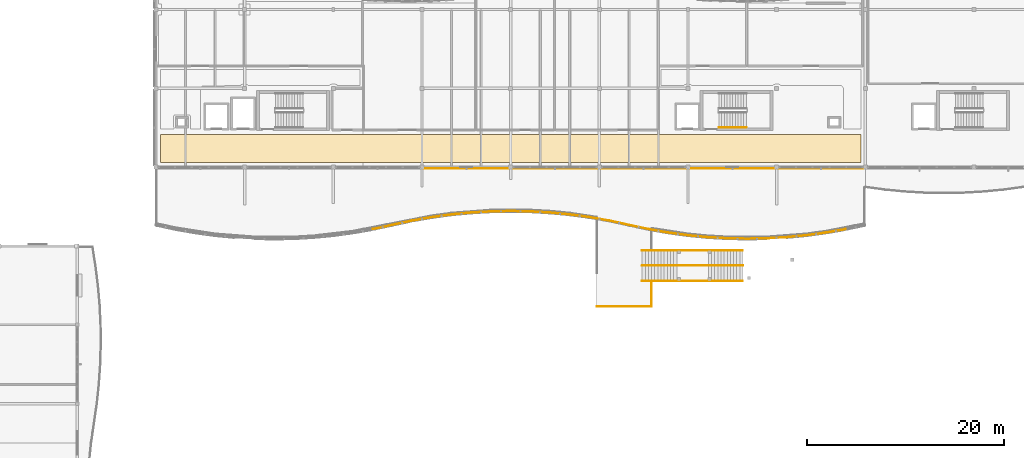
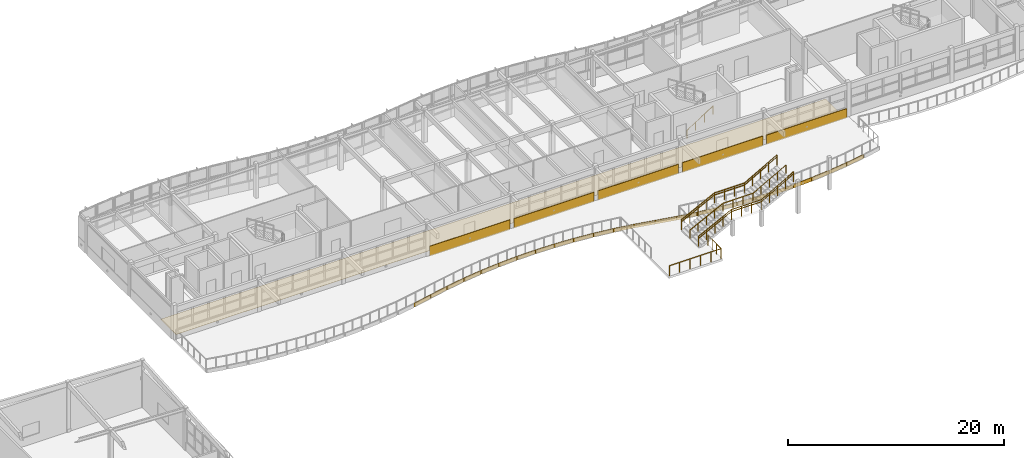
# One storey, part 46 of 52: 30 coverings, 7 railings.
"""IFC4 building model written with IfcOpenShell, lengths in metres."""

from ifc_helpers import new_model, si_unit, direction, frame, origin, origin_2d, place, context, subcontext, project, spatial, polyline, circle, outline, extrude, material, layer, layer_set, type_object, element, save


model = new_model("IFC4")

# Units and contexts
model_context = context("Model", 3, precision=1e-05, world=origin(), true_north=direction((0.0, 1.0)))
body_context = subcontext(model_context, "Body", "Model", "MODEL_VIEW")
ifc_project = project(units=[si_unit("LENGTHUNIT", "METRE"), si_unit("AREAUNIT", "SQUARE_METRE"), si_unit("VOLUMEUNIT", "CUBIC_METRE"), si_unit("PLANEANGLEUNIT", "RADIAN"), si_unit("MASSUNIT", "GRAM", prefix="KILO")], contexts=[model_context])

# Site, building, storey
site_placement = place(None, origin())
site = spatial("IfcSite", under=ifc_project, at=site_placement, CompositionType="ELEMENT")
building_placement = place(site_placement, origin())
building = spatial("IfcBuilding", under=site, at=building_placement, Name="Tonlespit Floodbar School", CompositionType="ELEMENT")
storey_placement = place(building_placement, frame((0.0, 0.0, 12.300048828125)))
storey = spatial("IfcBuildingStorey", under=building, at=storey_placement, Name="L03", CompositionType="ELEMENT", Elevation=12.300048828125)

# Railings
ifc_material_1 = material(Name="Galvanised Steel", Category="steel")
railing_type_1 = type_object("IfcRailingType", Name="Balustrade_Ext_1150", PredefinedType="BALUSTRADE", material=ifc_material_1)
railing_1_placement = place(storey_placement, frame((93.340087890625, 92.43994140625, 0.162353515625)))
element("IfcRailing", 1, at=railing_1_placement, inside=storey, type_object=railing_type_1, Name="ST-CT4 side guard 1", PredefinedType="BALUSTRADE", context=body_context, shape_type="SweptSolid", body=[
    extrude(circle(Radius=0.02392578125, at=origin_2d()), frame((0.0, 0.0, 1.1259765625), z_axis=(0.891614535321, 0.0, 0.452795230103), x_axis=(0.0, 1.0, 0.0)), (0.0, 0.0, 1.0), 3.947998046875),
    extrude(circle(Radius=0.02392578125, at=origin_2d()), frame((3.52001953125, 0.0, 2.91357421875), z_axis=(1.0, 0.0, 0.0), x_axis=(0.0, 1.0, 0.0)), (0.0, 0.0, 1.0), 3.199951171875),
    extrude(circle(Radius=0.02392578125, at=origin_2d()), frame((6.719970703125, 0.0, 2.91357421875), z_axis=(0.871174677944, 0.0, 0.490973197343), x_axis=(0.0, 1.0, 0.0)), (0.0, 0.0, 1.0), 3.9716796875),
    extrude(circle(Radius=0.02099609375, at=origin_2d()), origin(), (0.0, 0.0, 1.0), 1.101806640625),
    extrude(circle(Radius=0.02099609375, at=origin_2d()), frame((0.8798828125, 0.0, 0.44677734375)), (0.0, 0.0, 1.0), 1.101806640625),
    extrude(circle(Radius=0.02099609375, at=origin_2d()), frame((1.760009765625, 0.0, 0.893798828125)), (0.0, 0.0, 1.0), 1.101806640625),
    extrude(circle(Radius=0.02099609375, at=origin_2d()), frame((2.64013671875, 0.0, 1.3408203125)), (0.0, 0.0, 1.0), 1.101806640625),
    extrude(circle(Radius=0.02099609375, at=origin_2d()), frame((3.52001953125, 0.0, 1.78759765625)), (0.0, 0.0, 1.0), 1.101806640625),
    extrude(circle(Radius=0.02099609375, at=origin_2d()), frame((4.586669921875, 0.0, 1.78759765625)), (0.0, 0.0, 1.0), 1.101806640625),
    extrude(circle(Radius=0.02099609375, at=origin_2d()), frame((5.6533203125, 0.0, 1.78759765625)), (0.0, 0.0, 1.0), 1.101806640625),
    extrude(circle(Radius=0.02099609375, at=origin_2d()), frame((6.719970703125, 0.0, 1.78759765625)), (0.0, 0.0, 1.0), 1.101806640625),
    extrude(circle(Radius=0.02099609375, at=origin_2d()), frame((7.5849609375, 0.0, 2.275146484375)), (0.0, 0.0, 1.0), 1.101806640625),
    extrude(circle(Radius=0.02099609375, at=origin_2d()), frame((8.449951171875, 0.0, 2.7626953125)), (0.0, 0.0, 1.0), 1.101806640625),
    extrude(circle(Radius=0.02099609375, at=origin_2d()), frame((9.31494140625, 0.0, 3.25)), (0.0, 0.0, 1.0), 1.101806640625),
    extrude(circle(Radius=0.02099609375, at=origin_2d()), frame((10.179931640625, 0.0, 3.737548828125)), (0.0, 0.0, 1.0), 1.101806640625),
])
railing_2_placement = place(storey_placement, frame((93.340087890625, 95.56005859375, 0.162353515625)))
element("IfcRailing", 2, at=railing_2_placement, inside=storey, type_object=railing_type_1, Name="ST-CT4 side guard 2", PredefinedType="BALUSTRADE", context=body_context, shape_type="SweptSolid", body=[
    extrude(circle(Radius=0.02392578125, at=origin_2d()), frame((0.0, 0.0, 1.1259765625), z_axis=(0.891614535321, 0.0, 0.452795230103), x_axis=(0.0, 1.0, 0.0)), (0.0, 0.0, 1.0), 3.947998046875),
    extrude(circle(Radius=0.02392578125, at=origin_2d()), frame((3.52001953125, 0.0, 2.91357421875), z_axis=(1.0, 0.0, 0.0), x_axis=(0.0, 1.0, 0.0)), (0.0, 0.0, 1.0), 3.199951171875),
    extrude(circle(Radius=0.02392578125, at=origin_2d()), frame((6.719970703125, 0.0, 2.91357421875), z_axis=(0.871174677944, 0.0, 0.490973197343), x_axis=(0.0, 1.0, 0.0)), (0.0, 0.0, 1.0), 3.9716796875),
    extrude(circle(Radius=0.02099609375, at=origin_2d()), origin(), (0.0, 0.0, 1.0), 1.101806640625),
    extrude(circle(Radius=0.02099609375, at=origin_2d()), frame((0.8798828125, 0.0, 0.44677734375)), (0.0, 0.0, 1.0), 1.101806640625),
    extrude(circle(Radius=0.02099609375, at=origin_2d()), frame((1.760009765625, 0.0, 0.893798828125)), (0.0, 0.0, 1.0), 1.101806640625),
    extrude(circle(Radius=0.02099609375, at=origin_2d()), frame((2.64013671875, 0.0, 1.3408203125)), (0.0, 0.0, 1.0), 1.101806640625),
    extrude(circle(Radius=0.02099609375, at=origin_2d()), frame((3.52001953125, 0.0, 1.78759765625)), (0.0, 0.0, 1.0), 1.101806640625),
    extrude(circle(Radius=0.02099609375, at=origin_2d()), frame((4.586669921875, 0.0, 1.78759765625)), (0.0, 0.0, 1.0), 1.101806640625),
    extrude(circle(Radius=0.02099609375, at=origin_2d()), frame((5.6533203125, 0.0, 1.78759765625)), (0.0, 0.0, 1.0), 1.101806640625),
    extrude(circle(Radius=0.02099609375, at=origin_2d()), frame((6.719970703125, 0.0, 1.78759765625)), (0.0, 0.0, 1.0), 1.101806640625),
    extrude(circle(Radius=0.02099609375, at=origin_2d()), frame((7.5849609375, 0.0, 2.275146484375)), (0.0, 0.0, 1.0), 1.101806640625),
    extrude(circle(Radius=0.02099609375, at=origin_2d()), frame((8.449951171875, 0.0, 2.7626953125)), (0.0, 0.0, 1.0), 1.101806640625),
    extrude(circle(Radius=0.02099609375, at=origin_2d()), frame((9.31494140625, 0.0, 3.25)), (0.0, 0.0, 1.0), 1.101806640625),
    extrude(circle(Radius=0.02099609375, at=origin_2d()), frame((10.179931640625, 0.0, 3.737548828125)), (0.0, 0.0, 1.0), 1.101806640625),
])

# Coverings
ifc_material_2 = material(Name="White Architectural Aluminium", Category="aluminium")
ifc_layer_1 = layer(ifc_material_2, 0.050048828125)
ifc_layer_set_1 = layer_set([ifc_layer_1], Name="White Architectural Aluminium")
covering_type_1 = type_object("IfcCoveringType", Name="Cladding_WhiteBand_50", PredefinedType="CLADDING", material=ifc_layer_set_1)
covering_1_placement = place(storey_placement, frame((0.0, 0.0, -0.1201171875)))
element("IfcCovering", 3, at=covering_1_placement, inside=storey, type_object=covering_type_1, Name="L03 curved white spandrel cladding 0250", PredefinedType="CLADDING", context=body_context, shape_type="SweptSolid", body=[
    extrude(outline(polyline([(115.800048828125, 103.89990234375), (107.199951171875, 103.89990234375), (107.199951171875, 103.85009765625), (115.800048828125, 103.85009765625), (115.800048828125, 103.89990234375)])), origin(), (0.0, 0.0, 1.0), 1.070068359375),
])
covering_2_placement = place(storey_placement, frame((0.0, 0.0, -0.1201171875)))
element("IfcCovering", 4, at=covering_2_placement, inside=storey, type_object=covering_type_1, Name="L03 curved white spandrel cladding 0251", PredefinedType="CLADDING", context=body_context, shape_type="SweptSolid", body=[
    extrude(outline(polyline([(106.800048828125, 103.8798828125), (98.199951171875, 103.8798828125), (98.199951171875, 103.830078125), (106.800048828125, 103.830078125), (106.800048828125, 103.8798828125)])), origin(), (0.0, 0.0, 1.0), 1.1201171875),
])
covering_3_placement = place(storey_placement, frame((0.0, 0.0, -0.1201171875)))
element("IfcCovering", 5, at=covering_3_placement, inside=storey, type_object=covering_type_1, Name="L03 curved white spandrel cladding 0252", PredefinedType="CLADDING", context=body_context, shape_type="SweptSolid", body=[
    extrude(outline(polyline([(97.800048828125, 103.89990234375), (89.199951171875, 103.89990234375), (89.199951171875, 103.85009765625), (97.800048828125, 103.85009765625), (97.800048828125, 103.89990234375)])), origin(), (0.0, 0.0, 1.0), 1.070068359375),
])
covering_4_placement = place(storey_placement, frame((0.0, 0.0, -0.1201171875)))
element("IfcCovering", 6, at=covering_4_placement, inside=storey, type_object=covering_type_1, Name="L03 curved white spandrel cladding 0253", PredefinedType="CLADDING", context=body_context, shape_type="SweptSolid", body=[
    extrude(outline(polyline([(88.800048828125, 103.89990234375), (80.199951171875, 103.89990234375), (80.199951171875, 103.85009765625), (88.800048828125, 103.85009765625), (88.800048828125, 103.89990234375)])), origin(), (0.0, 0.0, 1.0), 1.070068359375),
])
covering_5_placement = place(storey_placement, frame((0.0, 0.0, -0.1201171875)))
element("IfcCovering", 7, at=covering_5_placement, inside=storey, type_object=covering_type_1, Name="L03 curved white spandrel cladding 0254", PredefinedType="CLADDING", context=body_context, shape_type="SweptSolid", body=[
    extrude(outline(polyline([(79.800048828125, 103.8798828125), (71.199951171875, 103.8798828125), (71.199951171875, 103.830078125), (79.800048828125, 103.830078125), (79.800048828125, 103.8798828125)])), origin(), (0.0, 0.0, 1.0), 1.1201171875),
])
covering_6_placement = place(storey_placement, frame((0.0, 0.0, -0.300048828125)))
element("IfcCovering", 8, at=covering_6_placement, inside=storey, type_object=covering_type_1, Name="L03 curved white spandrel cladding 0272", PredefinedType="CLADDING", context=body_context, shape_type="SweptSolid", body=[
    extrude(outline(polyline([(66.0, 97.72705078125), (68.0, 98.159912109375), (68.0, 98.110107421875), (66.0, 97.677001953125), (66.0, 97.72705078125)])), origin(), (0.0, 0.0, 1.0), 0.419921875),
])
covering_7_placement = place(storey_placement, frame((0.0, 0.0, -0.300048828125)))
element("IfcCovering", 9, at=covering_7_placement, inside=storey, type_object=covering_type_1, Name="L03 curved white spandrel cladding 0273", PredefinedType="CLADDING", context=body_context, shape_type="SweptSolid", body=[
    extrude(outline(polyline([(68.0, 98.159912109375), (70.0, 98.593017578125), (70.0, 98.54296875), (68.0, 98.110107421875), (68.0, 98.159912109375)])), origin(), (0.0, 0.0, 1.0), 0.419921875),
])
covering_8_placement = place(storey_placement, frame((0.0, 0.0, -0.300048828125)))
element("IfcCovering", 10, at=covering_8_placement, inside=storey, type_object=covering_type_1, Name="L03 curved white spandrel cladding 0274", PredefinedType="CLADDING", context=body_context, shape_type="SweptSolid", body=[
    extrude(outline(polyline([(70.0, 98.593017578125), (72.0, 98.944580078125), (72.0, 98.89453125), (70.0, 98.54296875), (70.0, 98.593017578125)])), origin(), (0.0, 0.0, 1.0), 0.419921875),
])
covering_9_placement = place(storey_placement, frame((0.0, 0.0, -0.300048828125)))
element("IfcCovering", 11, at=covering_9_placement, inside=storey, type_object=covering_type_1, Name="L03 curved white spandrel cladding 0275", PredefinedType="CLADDING", context=body_context, shape_type="SweptSolid", body=[
    extrude(outline(polyline([(72.0, 98.944580078125), (74.0, 99.21630859375), (74.0, 99.166259765625), (72.0, 98.89453125), (72.0, 98.944580078125)])), origin(), (0.0, 0.0, 1.0), 0.419921875),
])
covering_10_placement = place(storey_placement, frame((0.0, 0.0, -0.300048828125)))
element("IfcCovering", 12, at=covering_10_placement, inside=storey, type_object=covering_type_1, Name="L03 curved white spandrel cladding 0276", PredefinedType="CLADDING", context=body_context, shape_type="SweptSolid", body=[
    extrude(outline(polyline([(74.0, 99.21630859375), (76.0, 99.409423828125), (76.0, 99.359619140625), (74.0, 99.166259765625), (74.0, 99.21630859375)])), origin(), (0.0, 0.0, 1.0), 0.419921875),
])
covering_11_placement = place(storey_placement, frame((0.0, 0.0, -0.300048828125)))
element("IfcCovering", 13, at=covering_11_placement, inside=storey, type_object=covering_type_1, Name="L03 curved white spandrel cladding 0277", PredefinedType="CLADDING", context=body_context, shape_type="SweptSolid", body=[
    extrude(outline(polyline([(76.0, 99.409423828125), (78.0, 99.525146484375), (78.0, 99.47509765625), (76.0, 99.359619140625), (76.0, 99.409423828125)])), origin(), (0.0, 0.0, 1.0), 0.419921875),
])
covering_12_placement = place(storey_placement, frame((0.0, 0.0, -0.300048828125)))
element("IfcCovering", 14, at=covering_12_placement, inside=storey, type_object=covering_type_1, Name="L03 curved white spandrel cladding 0278", PredefinedType="CLADDING", context=body_context, shape_type="SweptSolid", body=[
    extrude(outline(polyline([(78.0, 99.525146484375), (80.0, 99.563720703125), (80.0, 99.513671875), (78.0, 99.47509765625), (78.0, 99.525146484375)])), origin(), (0.0, 0.0, 1.0), 0.419921875),
])
covering_13_placement = place(storey_placement, frame((0.0, 0.0, -0.300048828125)))
element("IfcCovering", 15, at=covering_13_placement, inside=storey, type_object=covering_type_1, Name="L03 curved white spandrel cladding 0279", PredefinedType="CLADDING", context=body_context, shape_type="SweptSolid", body=[
    extrude(outline(polyline([(80.0, 99.563720703125), (82.0, 99.525146484375), (82.0, 99.47509765625), (80.0, 99.513671875), (80.0, 99.563720703125)])), origin(), (0.0, 0.0, 1.0), 0.419921875),
])
covering_14_placement = place(storey_placement, frame((0.0, 0.0, -0.300048828125)))
element("IfcCovering", 16, at=covering_14_placement, inside=storey, type_object=covering_type_1, Name="L03 curved white spandrel cladding 0280", PredefinedType="CLADDING", context=body_context, shape_type="SweptSolid", body=[
    extrude(outline(polyline([(82.0, 99.525146484375), (84.0, 99.409423828125), (84.0, 99.359619140625), (82.0, 99.47509765625), (82.0, 99.525146484375)])), origin(), (0.0, 0.0, 1.0), 0.419921875),
])
covering_15_placement = place(storey_placement, frame((0.0, 0.0, -0.300048828125)))
element("IfcCovering", 17, at=covering_15_placement, inside=storey, type_object=covering_type_1, Name="L03 curved white spandrel cladding 0281", PredefinedType="CLADDING", context=body_context, shape_type="SweptSolid", body=[
    extrude(outline(polyline([(84.0, 99.409423828125), (86.0, 99.21630859375), (86.0, 99.166259765625), (84.0, 99.359619140625), (84.0, 99.409423828125)])), origin(), (0.0, 0.0, 1.0), 0.419921875),
])
covering_16_placement = place(storey_placement, frame((0.0, 0.0, -0.300048828125)))
element("IfcCovering", 18, at=covering_16_placement, inside=storey, type_object=covering_type_1, Name="L03 curved white spandrel cladding 0282", PredefinedType="CLADDING", context=body_context, shape_type="SweptSolid", body=[
    extrude(outline(polyline([(86.0, 99.21630859375), (88.0, 98.944580078125), (88.0, 98.89453125), (86.0, 99.166259765625), (86.0, 99.21630859375)])), origin(), (0.0, 0.0, 1.0), 0.419921875),
])
covering_17_placement = place(storey_placement, frame((0.0, 0.0, -0.300048828125)))
element("IfcCovering", 19, at=covering_17_placement, inside=storey, type_object=covering_type_1, Name="L03 curved white spandrel cladding 0283", PredefinedType="CLADDING", context=body_context, shape_type="SweptSolid", body=[
    extrude(outline(polyline([(88.0, 98.944580078125), (90.0, 98.593017578125), (90.0, 98.54296875), (88.0, 98.89453125), (88.0, 98.944580078125)])), origin(), (0.0, 0.0, 1.0), 0.419921875),
])
covering_18_placement = place(storey_placement, frame((0.0, 0.0, -0.300048828125)))
element("IfcCovering", 20, at=covering_18_placement, inside=storey, type_object=covering_type_1, Name="L03 curved white spandrel cladding 0284", PredefinedType="CLADDING", context=body_context, shape_type="SweptSolid", body=[
    extrude(outline(polyline([(90.0, 98.593017578125), (92.0, 98.159912109375), (92.0, 98.110107421875), (90.0, 98.54296875), (90.0, 98.593017578125)])), origin(), (0.0, 0.0, 1.0), 0.419921875),
])
covering_19_placement = place(storey_placement, frame((0.0, 0.0, -0.300048828125)))
element("IfcCovering", 21, at=covering_19_placement, inside=storey, type_object=covering_type_1, Name="L03 curved white spandrel cladding 0285", PredefinedType="CLADDING", context=body_context, shape_type="SweptSolid", body=[
    extrude(outline(polyline([(92.0, 98.159912109375), (94.0, 97.72705078125), (94.0, 97.677001953125), (92.0, 98.110107421875), (92.0, 98.159912109375)])), origin(), (0.0, 0.0, 1.0), 0.419921875),
])
covering_20_placement = place(storey_placement, frame((0.0, 0.0, -0.300048828125)))
element("IfcCovering", 22, at=covering_20_placement, inside=storey, type_object=covering_type_1, Name="L03 curved white spandrel cladding 0286", PredefinedType="CLADDING", context=body_context, shape_type="SweptSolid", body=[
    extrude(outline(polyline([(94.0, 97.72705078125), (96.0, 97.37548828125), (96.0, 97.325439453125), (94.0, 97.677001953125), (94.0, 97.72705078125)])), origin(), (0.0, 0.0, 1.0), 0.419921875),
])
covering_21_placement = place(storey_placement, frame((0.0, 0.0, -0.300048828125)))
element("IfcCovering", 23, at=covering_21_placement, inside=storey, type_object=covering_type_1, Name="L03 curved white spandrel cladding 0287", PredefinedType="CLADDING", context=body_context, shape_type="SweptSolid", body=[
    extrude(outline(polyline([(96.0, 97.37548828125), (98.0, 97.103759765625), (98.0, 97.0537109375), (96.0, 97.325439453125), (96.0, 97.37548828125)])), origin(), (0.0, 0.0, 1.0), 0.419921875),
])
covering_22_placement = place(storey_placement, frame((0.0, 0.0, -0.300048828125)))
element("IfcCovering", 24, at=covering_22_placement, inside=storey, type_object=covering_type_1, Name="L03 curved white spandrel cladding 0288", PredefinedType="CLADDING", context=body_context, shape_type="SweptSolid", body=[
    extrude(outline(polyline([(98.0, 97.103759765625), (100.0, 96.910400390625), (100.0, 96.860595703125), (98.0, 97.0537109375), (98.0, 97.103759765625)])), origin(), (0.0, 0.0, 1.0), 0.419921875),
])
covering_23_placement = place(storey_placement, frame((0.0, 0.0, -0.300048828125)))
element("IfcCovering", 25, at=covering_23_placement, inside=storey, type_object=covering_type_1, Name="L03 curved white spandrel cladding 0289", PredefinedType="CLADDING", context=body_context, shape_type="SweptSolid", body=[
    extrude(outline(polyline([(100.0, 96.910400390625), (102.0, 96.794921875), (102.0, 96.744873046875), (100.0, 96.860595703125), (100.0, 96.910400390625)])), origin(), (0.0, 0.0, 1.0), 0.419921875),
])
covering_24_placement = place(storey_placement, frame((0.0, 0.0, -0.300048828125)))
element("IfcCovering", 26, at=covering_24_placement, inside=storey, type_object=covering_type_1, Name="L03 curved white spandrel cladding 0290", PredefinedType="CLADDING", context=body_context, shape_type="SweptSolid", body=[
    extrude(outline(polyline([(102.0, 96.794921875), (104.0, 96.75634765625), (104.0, 96.706298828125), (102.0, 96.744873046875), (102.0, 96.794921875)])), origin(), (0.0, 0.0, 1.0), 0.419921875),
])
covering_25_placement = place(storey_placement, frame((0.0, 0.0, -0.300048828125)))
element("IfcCovering", 27, at=covering_25_placement, inside=storey, type_object=covering_type_1, Name="L03 curved white spandrel cladding 0291", PredefinedType="CLADDING", context=body_context, shape_type="SweptSolid", body=[
    extrude(outline(polyline([(104.0, 96.75634765625), (106.0, 96.794921875), (106.0, 96.744873046875), (104.0, 96.706298828125), (104.0, 96.75634765625)])), origin(), (0.0, 0.0, 1.0), 0.419921875),
])
covering_26_placement = place(storey_placement, frame((0.0, 0.0, -0.300048828125)))
element("IfcCovering", 28, at=covering_26_placement, inside=storey, type_object=covering_type_1, Name="L03 curved white spandrel cladding 0292", PredefinedType="CLADDING", context=body_context, shape_type="SweptSolid", body=[
    extrude(outline(polyline([(106.0, 96.794921875), (108.0, 96.910400390625), (108.0, 96.860595703125), (106.0, 96.744873046875), (106.0, 96.794921875)])), origin(), (0.0, 0.0, 1.0), 0.419921875),
])
covering_27_placement = place(storey_placement, frame((0.0, 0.0, -0.300048828125)))
element("IfcCovering", 29, at=covering_27_placement, inside=storey, type_object=covering_type_1, Name="L03 curved white spandrel cladding 0293", PredefinedType="CLADDING", context=body_context, shape_type="SweptSolid", body=[
    extrude(outline(polyline([(108.0, 96.910400390625), (110.0, 97.103759765625), (110.0, 97.0537109375), (108.0, 96.860595703125), (108.0, 96.910400390625)])), origin(), (0.0, 0.0, 1.0), 0.419921875),
])
covering_28_placement = place(storey_placement, frame((0.0, 0.0, -0.300048828125)))
element("IfcCovering", 30, at=covering_28_placement, inside=storey, type_object=covering_type_1, Name="L03 curved white spandrel cladding 0294", PredefinedType="CLADDING", context=body_context, shape_type="SweptSolid", body=[
    extrude(outline(polyline([(110.0, 97.103759765625), (112.0, 97.37548828125), (112.0, 97.325439453125), (110.0, 97.0537109375), (110.0, 97.103759765625)])), origin(), (0.0, 0.0, 1.0), 0.419921875),
])
covering_29_placement = place(storey_placement, frame((0.0, 0.0, -0.300048828125)))
element("IfcCovering", 31, at=covering_29_placement, inside=storey, type_object=covering_type_1, Name="L03 curved white spandrel cladding 0295", PredefinedType="CLADDING", context=body_context, shape_type="SweptSolid", body=[
    extrude(outline(polyline([(112.0, 97.37548828125), (114.0, 97.72705078125), (114.0, 97.677001953125), (112.0, 97.325439453125), (112.0, 97.37548828125)])), origin(), (0.0, 0.0, 1.0), 0.419921875),
])
ifc_material_3 = material(Name="Terrazzo Tile")
ifc_layer_2 = layer(ifc_material_3, 0.02001953125)
ifc_layer_set_2 = layer_set([ifc_layer_2], Name="Terrazzo Tile")
covering_type_2 = type_object("IfcCoveringType", Name="Flooring_Terrazzo_20", PredefinedType="FLOORING", material=ifc_layer_set_2)
covering_30_placement = place(storey_placement, origin())
element("IfcCovering", 32, at=covering_30_placement, inside=storey, type_object=covering_type_2, Name="L03 Middle School Corridor terrazzo flooring", PredefinedType="FLOORING", context=body_context, shape_type="SweptSolid", body=[
    extrude(outline(polyline([(115.530029296875, 107.330078125), (115.530029296875, 104.469970703125), (44.469970703125, 104.469970703125), (44.469970703125, 107.330078125), (115.530029296875, 107.330078125)])), origin(), (0.0, 0.0, 1.0), 0.02001953125),
])

# Railings
ifc_material_4 = material(Name="Anodised Aluminium", Category="aluminium")
railing_type_2 = type_object("IfcRailingType", Name="Guardrail_Terrace_1150", PredefinedType="GUARDRAIL", material=ifc_material_4)
railing_3_placement = place(storey_placement, frame((94.300048828125, 92.360107421875, 0.0)))
element("IfcRailing", 33, at=railing_3_placement, inside=storey, type_object=railing_type_2, Name="L03 terrace balustrade 024", PredefinedType="GUARDRAIL", context=body_context, shape_type="SweptSolid", body=[
    extrude(circle(Radius=0.02392578125, at=origin_2d()), frame((0.0, 0.0, 1.1259765625), z_axis=(0.0, -1.0, 0.0), x_axis=(1.0, 0.0, 0.0)), (0.0, 0.0, 1.0), 2.4794921875),
    extrude(circle(Radius=0.02392578125, at=origin_2d()), frame((0.0, -2.4794921875, 1.1259765625), z_axis=(-0.999999991259, -0.000132216834, 0.0), x_axis=(0.000132216834, -0.999999991259, 0.0)), (0.0, 0.0, 1.0), 5.53955078125),
    extrude(circle(Radius=0.02099609375, at=origin_2d()), origin(), (0.0, 0.0, 1.0), 1.101806640625),
    extrude(circle(Radius=0.02099609375, at=origin_2d()), frame((0.0, -0.826416015625, 0.0)), (0.0, 0.0, 1.0), 1.101806640625),
    extrude(circle(Radius=0.02099609375, at=origin_2d()), frame((0.0, -1.653076171875, 0.0)), (0.0, 0.0, 1.0), 1.101806640625),
    extrude(circle(Radius=0.02099609375, at=origin_2d()), frame((0.0, -2.4794921875, 0.0)), (0.0, 0.0, 1.0), 1.101806640625),
    extrude(circle(Radius=0.02099609375, at=origin_2d()), frame((-1.10791015625, -2.479736328125, 0.0)), (0.0, 0.0, 1.0), 1.101806640625),
    extrude(circle(Radius=0.02099609375, at=origin_2d()), frame((-2.2158203125, -2.479736328125, 0.0)), (0.0, 0.0, 1.0), 1.101806640625),
    extrude(circle(Radius=0.02099609375, at=origin_2d()), frame((-3.32373046875, -2.47998046875, 0.0)), (0.0, 0.0, 1.0), 1.101806640625),
    extrude(circle(Radius=0.02099609375, at=origin_2d()), frame((-4.431640625, -2.47998046875, 0.0)), (0.0, 0.0, 1.0), 1.101806640625),
    extrude(circle(Radius=0.02099609375, at=origin_2d()), frame((-5.53955078125, -2.480224609375, 0.0)), (0.0, 0.0, 1.0), 1.101806640625),
])
railing_type_3 = type_object("IfcRailingType", Name="Handrail_Ext_920", PredefinedType="HANDRAIL", material=ifc_material_1)
railing_4_placement = place(storey_placement, frame((93.340087890625, 94.0, 0.162353515625)))
element("IfcRailing", 34, at=railing_4_placement, inside=storey, type_object=railing_type_3, Name="ST-CT4 central handrail", PredefinedType="HANDRAIL", context=body_context, shape_type="SweptSolid", body=[
    extrude(circle(Radius=0.02392578125, at=origin_2d()), frame((0.0, 0.0, 0.89599609375), z_axis=(0.891614535321, 0.0, 0.452795230103), x_axis=(0.0, 1.0, 0.0)), (0.0, 0.0, 1.0), 3.947998046875),
    extrude(circle(Radius=0.02392578125, at=origin_2d()), frame((3.52001953125, 0.0, 2.68359375), z_axis=(1.0, 0.0, 0.0), x_axis=(0.0, 1.0, 0.0)), (0.0, 0.0, 1.0), 3.199951171875),
    extrude(circle(Radius=0.02392578125, at=origin_2d()), frame((6.719970703125, 0.0, 2.68359375), z_axis=(0.874749022873, 0.0, 0.484576255076), x_axis=(0.0, 1.0, 0.0)), (0.0, 0.0, 1.0), 4.02392578125),
    extrude(circle(Radius=0.02099609375, at=origin_2d()), origin(), (0.0, 0.0, 1.0), 0.871826171875),
    extrude(circle(Radius=0.02099609375, at=origin_2d()), frame((0.8798828125, 0.0, 0.44677734375)), (0.0, 0.0, 1.0), 0.871826171875),
    extrude(circle(Radius=0.02099609375, at=origin_2d()), frame((1.760009765625, 0.0, 0.893798828125)), (0.0, 0.0, 1.0), 0.871826171875),
    extrude(circle(Radius=0.02099609375, at=origin_2d()), frame((2.64013671875, 0.0, 1.3408203125)), (0.0, 0.0, 1.0), 0.871826171875),
    extrude(circle(Radius=0.02099609375, at=origin_2d()), frame((3.52001953125, 0.0, 1.78759765625)), (0.0, 0.0, 1.0), 0.871826171875),
    extrude(circle(Radius=0.02099609375, at=origin_2d()), frame((4.586669921875, 0.0, 1.78759765625)), (0.0, 0.0, 1.0), 0.871826171875),
    extrude(circle(Radius=0.02099609375, at=origin_2d()), frame((5.6533203125, 0.0, 1.78759765625)), (0.0, 0.0, 1.0), 0.871826171875),
    extrude(circle(Radius=0.02099609375, at=origin_2d()), frame((6.719970703125, 0.0, 1.78759765625)), (0.0, 0.0, 1.0), 0.871826171875),
    extrude(circle(Radius=0.02099609375, at=origin_2d()), frame((7.60009765625, 0.0, 2.275146484375)), (0.0, 0.0, 1.0), 0.871826171875),
    extrude(circle(Radius=0.02099609375, at=origin_2d()), frame((8.47998046875, 0.0, 2.7626953125)), (0.0, 0.0, 1.0), 0.871826171875),
    extrude(circle(Radius=0.02099609375, at=origin_2d()), frame((9.35986328125, 0.0, 3.25)), (0.0, 0.0, 1.0), 0.871826171875),
    extrude(circle(Radius=0.02099609375, at=origin_2d()), frame((10.239990234375, 0.0, 3.737548828125)), (0.0, 0.0, 1.0), 0.871826171875),
])
railing_5_placement = place(storey_placement, frame((93.340087890625, 92.43994140625, 0.162353515625)))
element("IfcRailing", 35, at=railing_5_placement, inside=storey, type_object=railing_type_3, Name="ST-CT4 handrail 1", PredefinedType="HANDRAIL", context=body_context, shape_type="SweptSolid", body=[
    extrude(circle(Radius=0.02392578125, at=origin_2d()), frame((0.0, 0.0, 0.89599609375), z_axis=(0.891614535321, 0.0, 0.452795230103), x_axis=(0.0, 1.0, 0.0)), (0.0, 0.0, 1.0), 3.947998046875),
    extrude(circle(Radius=0.02392578125, at=origin_2d()), frame((3.52001953125, 0.0, 2.68359375), z_axis=(1.0, 0.0, 0.0), x_axis=(0.0, 1.0, 0.0)), (0.0, 0.0, 1.0), 3.199951171875),
    extrude(circle(Radius=0.02392578125, at=origin_2d()), frame((6.719970703125, 0.0, 2.68359375), z_axis=(0.871174677944, 0.0, 0.490973197343), x_axis=(0.0, 1.0, 0.0)), (0.0, 0.0, 1.0), 3.9716796875),
    extrude(circle(Radius=0.02099609375, at=origin_2d()), origin(), (0.0, 0.0, 1.0), 0.871826171875),
    extrude(circle(Radius=0.02099609375, at=origin_2d()), frame((0.8798828125, 0.0, 0.44677734375)), (0.0, 0.0, 1.0), 0.871826171875),
    extrude(circle(Radius=0.02099609375, at=origin_2d()), frame((1.760009765625, 0.0, 0.893798828125)), (0.0, 0.0, 1.0), 0.871826171875),
    extrude(circle(Radius=0.02099609375, at=origin_2d()), frame((2.64013671875, 0.0, 1.3408203125)), (0.0, 0.0, 1.0), 0.871826171875),
    extrude(circle(Radius=0.02099609375, at=origin_2d()), frame((3.52001953125, 0.0, 1.78759765625)), (0.0, 0.0, 1.0), 0.871826171875),
    extrude(circle(Radius=0.02099609375, at=origin_2d()), frame((4.586669921875, 0.0, 1.78759765625)), (0.0, 0.0, 1.0), 0.871826171875),
    extrude(circle(Radius=0.02099609375, at=origin_2d()), frame((5.6533203125, 0.0, 1.78759765625)), (0.0, 0.0, 1.0), 0.871826171875),
    extrude(circle(Radius=0.02099609375, at=origin_2d()), frame((6.719970703125, 0.0, 1.78759765625)), (0.0, 0.0, 1.0), 0.871826171875),
    extrude(circle(Radius=0.02099609375, at=origin_2d()), frame((7.5849609375, 0.0, 2.275146484375)), (0.0, 0.0, 1.0), 0.871826171875),
    extrude(circle(Radius=0.02099609375, at=origin_2d()), frame((8.449951171875, 0.0, 2.7626953125)), (0.0, 0.0, 1.0), 0.871826171875),
    extrude(circle(Radius=0.02099609375, at=origin_2d()), frame((9.31494140625, 0.0, 3.25)), (0.0, 0.0, 1.0), 0.871826171875),
    extrude(circle(Radius=0.02099609375, at=origin_2d()), frame((10.179931640625, 0.0, 3.737548828125)), (0.0, 0.0, 1.0), 0.871826171875),
])
railing_6_placement = place(storey_placement, frame((93.340087890625, 95.56005859375, 0.162353515625)))
element("IfcRailing", 36, at=railing_6_placement, inside=storey, type_object=railing_type_3, Name="ST-CT4 handrail 2", PredefinedType="HANDRAIL", context=body_context, shape_type="SweptSolid", body=[
    extrude(circle(Radius=0.02392578125, at=origin_2d()), frame((0.0, 0.0, 0.89599609375), z_axis=(0.891614535321, 0.0, 0.452795230103), x_axis=(0.0, 1.0, 0.0)), (0.0, 0.0, 1.0), 3.947998046875),
    extrude(circle(Radius=0.02392578125, at=origin_2d()), frame((3.52001953125, 0.0, 2.68359375), z_axis=(1.0, 0.0, 0.0), x_axis=(0.0, 1.0, 0.0)), (0.0, 0.0, 1.0), 3.199951171875),
    extrude(circle(Radius=0.02392578125, at=origin_2d()), frame((6.719970703125, 0.0, 2.68359375), z_axis=(0.871174677944, 0.0, 0.490973197343), x_axis=(0.0, 1.0, 0.0)), (0.0, 0.0, 1.0), 3.9716796875),
    extrude(circle(Radius=0.02099609375, at=origin_2d()), origin(), (0.0, 0.0, 1.0), 0.871826171875),
    extrude(circle(Radius=0.02099609375, at=origin_2d()), frame((0.8798828125, 0.0, 0.44677734375)), (0.0, 0.0, 1.0), 0.871826171875),
    extrude(circle(Radius=0.02099609375, at=origin_2d()), frame((1.760009765625, 0.0, 0.893798828125)), (0.0, 0.0, 1.0), 0.871826171875),
    extrude(circle(Radius=0.02099609375, at=origin_2d()), frame((2.64013671875, 0.0, 1.3408203125)), (0.0, 0.0, 1.0), 0.871826171875),
    extrude(circle(Radius=0.02099609375, at=origin_2d()), frame((3.52001953125, 0.0, 1.78759765625)), (0.0, 0.0, 1.0), 0.871826171875),
    extrude(circle(Radius=0.02099609375, at=origin_2d()), frame((4.586669921875, 0.0, 1.78759765625)), (0.0, 0.0, 1.0), 0.871826171875),
    extrude(circle(Radius=0.02099609375, at=origin_2d()), frame((5.6533203125, 0.0, 1.78759765625)), (0.0, 0.0, 1.0), 0.871826171875),
    extrude(circle(Radius=0.02099609375, at=origin_2d()), frame((6.719970703125, 0.0, 1.78759765625)), (0.0, 0.0, 1.0), 0.871826171875),
    extrude(circle(Radius=0.02099609375, at=origin_2d()), frame((7.5849609375, 0.0, 2.275146484375)), (0.0, 0.0, 1.0), 0.871826171875),
    extrude(circle(Radius=0.02099609375, at=origin_2d()), frame((8.449951171875, 0.0, 2.7626953125)), (0.0, 0.0, 1.0), 0.871826171875),
    extrude(circle(Radius=0.02099609375, at=origin_2d()), frame((9.31494140625, 0.0, 3.25)), (0.0, 0.0, 1.0), 0.871826171875),
    extrude(circle(Radius=0.02099609375, at=origin_2d()), frame((10.179931640625, 0.0, 3.737548828125)), (0.0, 0.0, 1.0), 0.871826171875),
])
railing_type_4 = type_object("IfcRailingType", Name="Handrail_Int_920", PredefinedType="HANDRAIL", material=ifc_material_1)
railing_7_placement = place(storey_placement, frame((101.1201171875, 108.050048828125, 0.17724609375)))
element("IfcRailing", 37, at=railing_7_placement, inside=storey, type_object=railing_type_4, Name="L03 ST-C2 stair handrail 1", PredefinedType="HANDRAIL", context=body_context, shape_type="SweptSolid", body=[
    extrude(circle(Radius=0.02392578125, at=origin_2d()), frame((0.0, 0.0, 0.89599609375), z_axis=(0.844887892834, 0.0, 0.53494340686), x_axis=(0.0, 1.0, 0.0)), (0.0, 0.0, 1.0), 3.313720703125),
    extrude(circle(Radius=0.02099609375, at=origin_2d()), origin(), (0.0, 0.0, 1.0), 0.871826171875),
    extrude(circle(Radius=0.02099609375, at=origin_2d()), frame((0.933349609375, 0.0, 0.5908203125)), (0.0, 0.0, 1.0), 0.871826171875),
    extrude(circle(Radius=0.02099609375, at=origin_2d()), frame((1.866455078125, 0.0, 1.181884765625)), (0.0, 0.0, 1.0), 0.871826171875),
    extrude(circle(Radius=0.02099609375, at=origin_2d()), frame((2.7998046875, 0.0, 1.772705078125)), (0.0, 0.0, 1.0), 0.871826171875),
])

save(model, "model.ifc")
